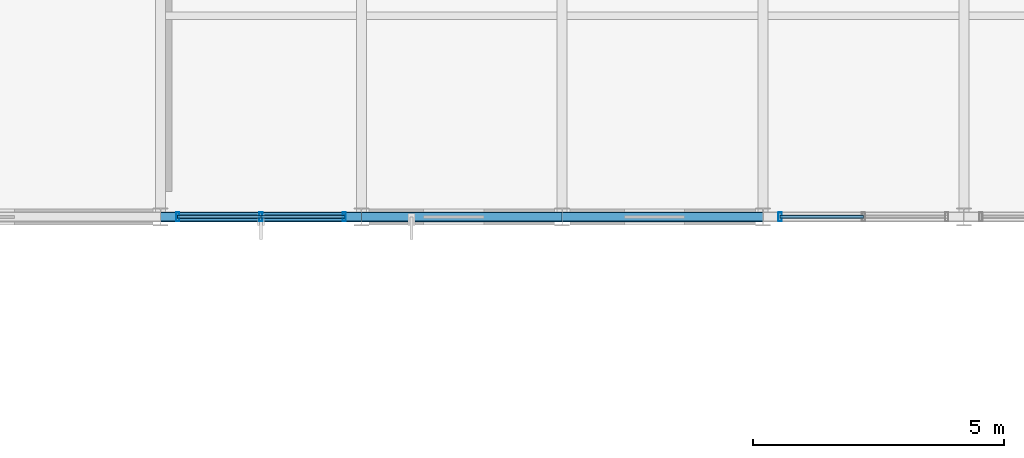
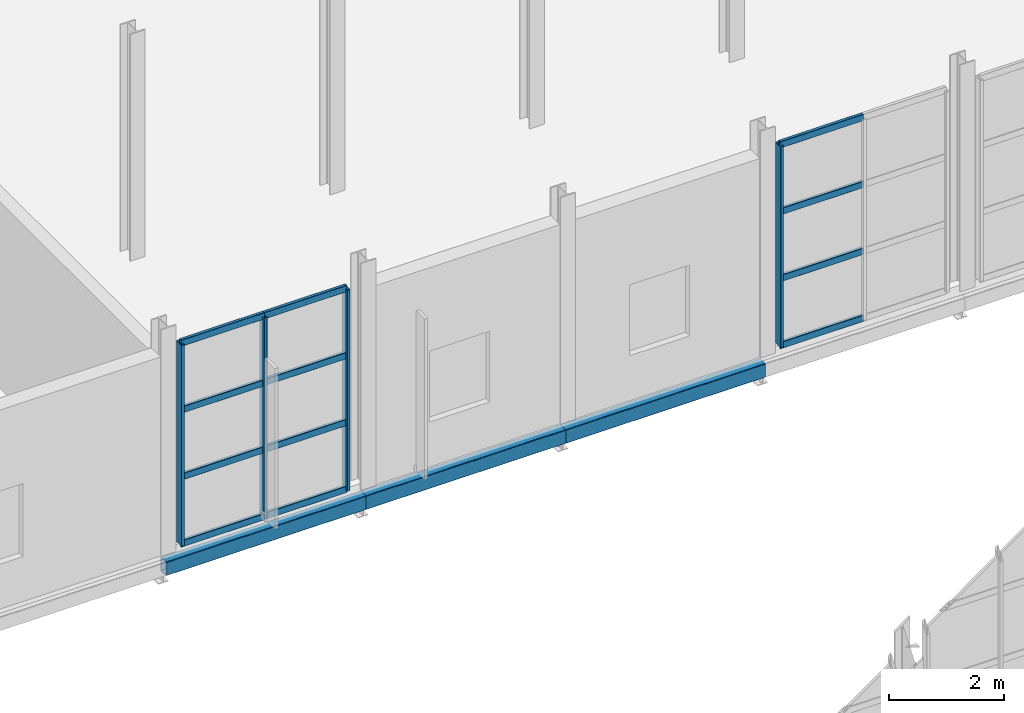
# One storey, part 57 of 143: 16 members, 3 beams, 2 elements without a shape of their own.
"""IFC4 building model written with IfcOpenShell, lengths in metres."""

from ifc_helpers import new_model, si_unit, derived_unit, direction, frame, origin, origin_2d, place, context, subcontext, project, spatial, hollow_rectangle, extrude, material, material_profile, profile_set, type_object, element, aggregate, save


model = new_model("IFC4")

# Units and contexts
model_context = context("Model", 3, precision=1e-05, world=origin(), true_north=direction((0.0, 1.0)))
body_context = subcontext(model_context, "Body", "Model", "MODEL_VIEW")
ifc_project = project(units=[si_unit("LENGTHUNIT", "METRE"), si_unit("AREAUNIT", "SQUARE_METRE"), si_unit("VOLUMEUNIT", "CUBIC_METRE"), si_unit("PLANEANGLEUNIT", "RADIAN"), si_unit("MASSUNIT", "GRAM", prefix="KILO"), derived_unit("THERMALTRANSMITTANCEUNIT", [(si_unit("POWERUNIT", "WATT"), 1), (si_unit("LENGTHUNIT", "METRE"), -2), (si_unit("THERMODYNAMICTEMPERATUREUNIT", "KELVIN"), -1)])], contexts=[model_context])

# Site, building, storey
site_placement = place(None, origin())
site = spatial("IfcSite", under=ifc_project, at=site_placement, CompositionType="ELEMENT")
building_placement = place(site_placement, origin())
building = spatial("IfcBuilding", under=site, at=building_placement, Name="Keldorne Ridge Multi-Sports Centre", CompositionType="ELEMENT")
storey_placement = place(building_placement, frame((0.0, 0.0, 4.800048828125)))
storey = spatial("IfcBuildingStorey", under=building, at=storey_placement, Name="L01", CompositionType="ELEMENT", Elevation=4.800048828125)

# Beams
ifc_material_1 = material(Name="Steel S355", Category="steel")
ifc_material_profile_1 = material_profile(ifc_material_1, hollow_rectangle(XDim=0.199951171875, YDim=0.300048828125, WallThickness=0.012451171875, InnerFilletRadius=0.012451171875, OuterFilletRadius=0.02490234375, at=origin_2d()), Name="RHS 300x200x12.5")
ifc_profile_set_1 = profile_set([ifc_material_profile_1], Name="Steel S355")
beam_type = type_object("IfcBeamType", Name="BM-SP-01", PredefinedType="SPANDREL", material=ifc_profile_set_1)
for number, where, z_axis, x_axis, name in (
    (1, (120.0, 66.0, -0.3701171875), (1.0, 0.0, 0.0), (0.0, 1.0, 0.0), "L01 primary beam 3.66"),
    (2, (124.0, 66.0, -0.3701171875), (1.0, 0.0, 0.0), (0.0, 1.0, 0.0), "L01 primary beam 4.66"),
    (3, (128.0, 66.0, -0.3701171875), (1.0, 0.0, 0.0), (0.0, 1.0, 0.0), "L01 primary beam 5.66"),
):
    element("IfcBeam", number, at=place(storey_placement, frame(where, z_axis=z_axis, x_axis=x_axis)), inside=storey, type_object=beam_type, Name=name, PredefinedType="SPANDREL", context=body_context, shape_type="SweptSolid", body=[
        extrude(hollow_rectangle(XDim=0.199951171875, YDim=0.300048828125, WallThickness=0.012451171875, InnerFilletRadius=0.012451171875, OuterFilletRadius=0.02490234375, at=origin_2d()), origin(), (0.0, 0.0, 1.0), 4.0),
    ])

# Curtain wall, members
ifc_material_2 = material(Name="Anodized aluminium", Category="aluminium")
curtain_wall_type_1 = type_object("IfcCurtainWallType", Name="CW-CW-03", PredefinedType="NOTDEFINED", material=ifc_material_2)
curtain_wall_1_placement = place(storey_placement, origin())
curtain_wall_1 = element("IfcCurtainWall", 4, at=curtain_wall_1_placement, inside=storey, type_object=curtain_wall_type_1, Name="East Wing L01 south curtain wall 139", PredefinedType="NOTDEFINED")
ifc_material_profile_2 = material_profile(ifc_material_2, hollow_rectangle(XDim=0.06494140625, YDim=0.179931640625, WallThickness=0.00439453125, InnerFilletRadius=0.00439453125, OuterFilletRadius=0.009033203125, at=origin_2d()), Name="ALU MULLION 180x65x4.5")
ifc_profile_set_2 = profile_set([ifc_material_profile_2], Name="Anodized aluminium")
member_type_1 = type_object("IfcMemberType", Name="MEM-ML-01", PredefinedType="MULLION", material=ifc_profile_set_2)
member_1_placement = place(storey_placement, frame((120.340087890625, 66.0, 0.0), z_axis=(0.0, 0.0, 1.0), x_axis=(1.0, 0.0, 0.0)))
member_1 = element("IfcMember", 5, at=member_1_placement, type_object=member_type_1, Name="CW-139 vertical mullion 1", PredefinedType="MULLION", context=body_context, shape_type="SweptSolid", body=[
    extrude(hollow_rectangle(XDim=0.06494140625, YDim=0.179931640625, WallThickness=0.00439453125, InnerFilletRadius=0.00439453125, OuterFilletRadius=0.009033203125, at=origin_2d()), origin(), (0.0, 0.0, 1.0), 4.25),
])
member_2_placement = place(storey_placement, frame((122.0, 66.0, 0.0), z_axis=(0.0, 0.0, 1.0), x_axis=(1.0, 0.0, 0.0)))
member_2 = element("IfcMember", 6, at=member_2_placement, type_object=member_type_1, Name="CW-139 vertical mullion 2", PredefinedType="MULLION", context=body_context, shape_type="SweptSolid", body=[
    extrude(hollow_rectangle(XDim=0.06494140625, YDim=0.179931640625, WallThickness=0.00439453125, InnerFilletRadius=0.00439453125, OuterFilletRadius=0.009033203125, at=origin_2d()), origin(), (0.0, 0.0, 1.0), 4.25),
])
member_3_placement = place(storey_placement, frame((123.659912109375, 66.0, 0.0), z_axis=(0.0, 0.0, 1.0), x_axis=(1.0, 0.0, 0.0)))
member_3 = element("IfcMember", 7, at=member_3_placement, type_object=member_type_1, Name="CW-139 vertical mullion 3", PredefinedType="MULLION", context=body_context, shape_type="SweptSolid", body=[
    extrude(hollow_rectangle(XDim=0.06494140625, YDim=0.179931640625, WallThickness=0.00439453125, InnerFilletRadius=0.00439453125, OuterFilletRadius=0.009033203125, at=origin_2d()), origin(), (0.0, 0.0, 1.0), 4.25),
])

# Curtain wall, member
curtain_wall_type_2 = type_object("IfcCurtainWallType", Name="CW-CW-04", PredefinedType="NOTDEFINED", material=ifc_material_2)
curtain_wall_2_placement = place(storey_placement, origin())
curtain_wall_2 = element("IfcCurtainWall", 8, at=curtain_wall_2_placement, inside=storey, type_object=curtain_wall_type_2, Name="East Wing L01 south curtain wall 140", PredefinedType="NOTDEFINED")
member_4_placement = place(storey_placement, frame((132.340087890625, 66.0, 0.0), z_axis=(0.0, 0.0, 1.0), x_axis=(1.0, 0.0, 0.0)))
member_4 = element("IfcMember", 9, at=member_4_placement, type_object=member_type_1, Name="CW-140 vertical mullion 1", PredefinedType="MULLION", context=body_context, shape_type="SweptSolid", body=[
    extrude(hollow_rectangle(XDim=0.06494140625, YDim=0.179931640625, WallThickness=0.00439453125, InnerFilletRadius=0.00439453125, OuterFilletRadius=0.009033203125, at=origin_2d()), origin(), (0.0, 0.0, 1.0), 4.25),
])

# Member
ifc_material_profile_3 = material_profile(ifc_material_2, hollow_rectangle(XDim=0.06494140625, YDim=0.139892578125, WallThickness=0.00439453125, InnerFilletRadius=0.00439453125, OuterFilletRadius=0.009033203125, at=origin_2d()), Name="ALU TRANSOM 140x65x4.5")
ifc_profile_set_3 = profile_set([ifc_material_profile_3], Name="Anodized aluminium")
member_type_2 = type_object("IfcMemberType", Name="MEM-TR-01", PredefinedType="USERDEFINED", material=ifc_profile_set_3)
member_5_placement = place(storey_placement, frame((120.340087890625, 66.0, 0.0), z_axis=(1.0, 0.0, 0.0), x_axis=(0.0, 1.0, 0.0)))
member_5 = element("IfcMember", 10, at=member_5_placement, type_object=member_type_2, Name="CW-139 transom 1.1", ObjectType="TRANSOM", PredefinedType="USERDEFINED", context=body_context, shape_type="SweptSolid", body=[
    extrude(hollow_rectangle(XDim=0.06494140625, YDim=0.139892578125, WallThickness=0.00439453125, InnerFilletRadius=0.00439453125, OuterFilletRadius=0.009033203125, at=origin_2d()), origin(), (0.0, 0.0, 1.0), 1.659912109375),
])

member_6_placement = place(storey_placement, frame((120.340087890625, 66.0, 1.416748046875), z_axis=(1.0, 0.0, 0.0), x_axis=(0.0, 1.0, 0.0)))
member_6 = element("IfcMember", 11, at=member_6_placement, type_object=member_type_2, Name="CW-139 transom 1.2", ObjectType="TRANSOM", PredefinedType="USERDEFINED", context=body_context, shape_type="SweptSolid", body=[
    extrude(hollow_rectangle(XDim=0.06494140625, YDim=0.139892578125, WallThickness=0.00439453125, InnerFilletRadius=0.00439453125, OuterFilletRadius=0.009033203125, at=origin_2d()), origin(), (0.0, 0.0, 1.0), 1.659912109375),
])

member_7_placement = place(storey_placement, frame((120.340087890625, 66.0, 2.833251953125), z_axis=(1.0, 0.0, 0.0), x_axis=(0.0, 1.0, 0.0)))
member_7 = element("IfcMember", 12, at=member_7_placement, type_object=member_type_2, Name="CW-139 transom 1.3", ObjectType="TRANSOM", PredefinedType="USERDEFINED", context=body_context, shape_type="SweptSolid", body=[
    extrude(hollow_rectangle(XDim=0.06494140625, YDim=0.139892578125, WallThickness=0.00439453125, InnerFilletRadius=0.00439453125, OuterFilletRadius=0.009033203125, at=origin_2d()), origin(), (0.0, 0.0, 1.0), 1.659912109375),
])

member_8_placement = place(storey_placement, frame((120.340087890625, 66.0, 4.25), z_axis=(1.0, 0.0, 0.0), x_axis=(0.0, 1.0, 0.0)))
member_8 = element("IfcMember", 13, at=member_8_placement, type_object=member_type_2, Name="CW-139 transom 1.4", ObjectType="TRANSOM", PredefinedType="USERDEFINED", context=body_context, shape_type="SweptSolid", body=[
    extrude(hollow_rectangle(XDim=0.06494140625, YDim=0.139892578125, WallThickness=0.00439453125, InnerFilletRadius=0.00439453125, OuterFilletRadius=0.009033203125, at=origin_2d()), origin(), (0.0, 0.0, 1.0), 1.659912109375),
])

member_9_placement = place(storey_placement, frame((122.0, 66.0, 0.0), z_axis=(1.0, 0.0, 0.0), x_axis=(0.0, 1.0, 0.0)))
member_9 = element("IfcMember", 14, at=member_9_placement, type_object=member_type_2, Name="CW-139 transom 2.1", ObjectType="TRANSOM", PredefinedType="USERDEFINED", context=body_context, shape_type="SweptSolid", body=[
    extrude(hollow_rectangle(XDim=0.06494140625, YDim=0.139892578125, WallThickness=0.00439453125, InnerFilletRadius=0.00439453125, OuterFilletRadius=0.009033203125, at=origin_2d()), origin(), (0.0, 0.0, 1.0), 1.659912109375),
])

member_10_placement = place(storey_placement, frame((122.0, 66.0, 1.416748046875), z_axis=(1.0, 0.0, 0.0), x_axis=(0.0, 1.0, 0.0)))
member_10 = element("IfcMember", 15, at=member_10_placement, type_object=member_type_2, Name="CW-139 transom 2.2", ObjectType="TRANSOM", PredefinedType="USERDEFINED", context=body_context, shape_type="SweptSolid", body=[
    extrude(hollow_rectangle(XDim=0.06494140625, YDim=0.139892578125, WallThickness=0.00439453125, InnerFilletRadius=0.00439453125, OuterFilletRadius=0.009033203125, at=origin_2d()), origin(), (0.0, 0.0, 1.0), 1.659912109375),
])

member_11_placement = place(storey_placement, frame((122.0, 66.0, 2.833251953125), z_axis=(1.0, 0.0, 0.0), x_axis=(0.0, 1.0, 0.0)))
member_11 = element("IfcMember", 16, at=member_11_placement, type_object=member_type_2, Name="CW-139 transom 2.3", ObjectType="TRANSOM", PredefinedType="USERDEFINED", context=body_context, shape_type="SweptSolid", body=[
    extrude(hollow_rectangle(XDim=0.06494140625, YDim=0.139892578125, WallThickness=0.00439453125, InnerFilletRadius=0.00439453125, OuterFilletRadius=0.009033203125, at=origin_2d()), origin(), (0.0, 0.0, 1.0), 1.659912109375),
])

member_12_placement = place(storey_placement, frame((122.0, 66.0, 4.25), z_axis=(1.0, 0.0, 0.0), x_axis=(0.0, 1.0, 0.0)))
member_12 = element("IfcMember", 17, at=member_12_placement, type_object=member_type_2, Name="CW-139 transom 2.4", ObjectType="TRANSOM", PredefinedType="USERDEFINED", context=body_context, shape_type="SweptSolid", body=[
    extrude(hollow_rectangle(XDim=0.06494140625, YDim=0.139892578125, WallThickness=0.00439453125, InnerFilletRadius=0.00439453125, OuterFilletRadius=0.009033203125, at=origin_2d()), origin(), (0.0, 0.0, 1.0), 1.659912109375),
])

aggregate(curtain_wall_1, [member_1, member_2, member_3, member_5, member_6, member_7, member_8, member_9, member_10, member_11, member_12])

member_13_placement = place(storey_placement, frame((132.340087890625, 66.0, 0.0), z_axis=(1.0, 0.0, 0.0), x_axis=(0.0, 1.0, 0.0)))
member_13 = element("IfcMember", 18, at=member_13_placement, type_object=member_type_2, Name="CW-140 transom 1.1", ObjectType="TRANSOM", PredefinedType="USERDEFINED", context=body_context, shape_type="SweptSolid", body=[
    extrude(hollow_rectangle(XDim=0.06494140625, YDim=0.139892578125, WallThickness=0.00439453125, InnerFilletRadius=0.00439453125, OuterFilletRadius=0.009033203125, at=origin_2d()), origin(), (0.0, 0.0, 1.0), 1.659912109375),
])

member_14_placement = place(storey_placement, frame((132.340087890625, 66.0, 1.416748046875), z_axis=(1.0, 0.0, 0.0), x_axis=(0.0, 1.0, 0.0)))
member_14 = element("IfcMember", 19, at=member_14_placement, type_object=member_type_2, Name="CW-140 transom 1.2", ObjectType="TRANSOM", PredefinedType="USERDEFINED", context=body_context, shape_type="SweptSolid", body=[
    extrude(hollow_rectangle(XDim=0.06494140625, YDim=0.139892578125, WallThickness=0.00439453125, InnerFilletRadius=0.00439453125, OuterFilletRadius=0.009033203125, at=origin_2d()), origin(), (0.0, 0.0, 1.0), 1.659912109375),
])

member_15_placement = place(storey_placement, frame((132.340087890625, 66.0, 2.833251953125), z_axis=(1.0, 0.0, 0.0), x_axis=(0.0, 1.0, 0.0)))
member_15 = element("IfcMember", 20, at=member_15_placement, type_object=member_type_2, Name="CW-140 transom 1.3", ObjectType="TRANSOM", PredefinedType="USERDEFINED", context=body_context, shape_type="SweptSolid", body=[
    extrude(hollow_rectangle(XDim=0.06494140625, YDim=0.139892578125, WallThickness=0.00439453125, InnerFilletRadius=0.00439453125, OuterFilletRadius=0.009033203125, at=origin_2d()), origin(), (0.0, 0.0, 1.0), 1.659912109375),
])

member_16_placement = place(storey_placement, frame((132.340087890625, 66.0, 4.25), z_axis=(1.0, 0.0, 0.0), x_axis=(0.0, 1.0, 0.0)))
member_16 = element("IfcMember", 21, at=member_16_placement, type_object=member_type_2, Name="CW-140 transom 1.4", ObjectType="TRANSOM", PredefinedType="USERDEFINED", context=body_context, shape_type="SweptSolid", body=[
    extrude(hollow_rectangle(XDim=0.06494140625, YDim=0.139892578125, WallThickness=0.00439453125, InnerFilletRadius=0.00439453125, OuterFilletRadius=0.009033203125, at=origin_2d()), origin(), (0.0, 0.0, 1.0), 1.659912109375),
])

aggregate(curtain_wall_2, [member_4, member_13, member_14, member_15, member_16])

save(model, "model.ifc")
